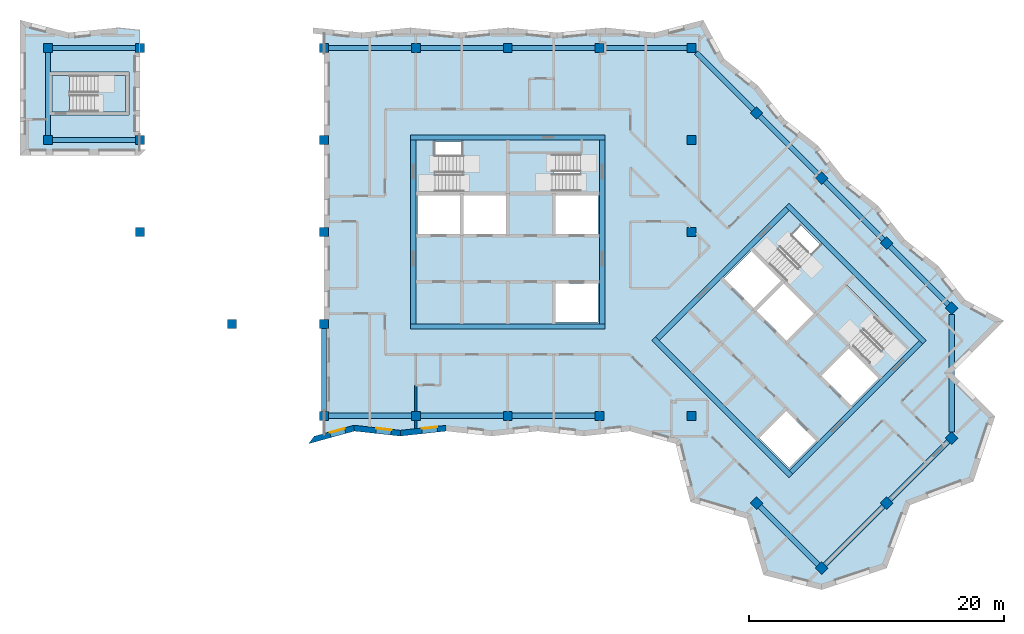
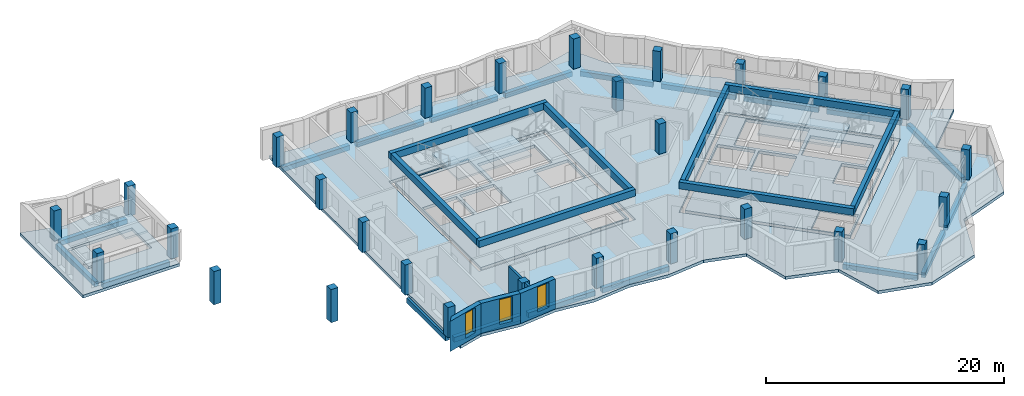
# One storey, part 1 of 12: 29 columns, 27 beams, 10 slabs, 5 walls, 3 windows, 18 openings, 5 elements without a shape of their own.
"""IFC4 building model written with IfcOpenShell, lengths in metres."""

from ifc_helpers import new_model, si_unit, direction, frame, frame_2d, origin, origin_2d, place, context, subcontext, project, spatial, polyline, rectangle, outline, extrude, material, layer, layer_set, material_profile, profile_set, type_object, element, fill, aggregate, save


model = new_model("IFC4")

# Units and contexts
model_context = context("Model", 3, precision=1e-05, world=origin(), true_north=direction((0.0, 1.0)))
body_context = subcontext(model_context, "Body", "Model", "MODEL_VIEW")
ifc_project = project(units=[si_unit("LENGTHUNIT", "METRE"), si_unit("AREAUNIT", "SQUARE_METRE"), si_unit("VOLUMEUNIT", "CUBIC_METRE"), si_unit("PLANEANGLEUNIT", "RADIAN"), si_unit("MASSUNIT", "GRAM", prefix="KILO")], contexts=[model_context])

# Site, building, storey
site_placement = place(None, origin())
site = spatial("IfcSite", under=ifc_project, at=site_placement, CompositionType="ELEMENT")
building_placement = place(site_placement, origin())
building = spatial("IfcBuilding", under=site, at=building_placement, Name="Windrow Commons", CompositionType="ELEMENT")
storey_placement = place(building_placement, frame((0.0, 0.0, 254.0)))
storey = spatial("IfcBuildingStorey", under=building, at=storey_placement, Name="L69", CompositionType="ELEMENT", Elevation=254.0)

# Columns
ifc_material_1 = material(Name="Concrete C40/50", Category="concrete")
ifc_material_profile_1 = material_profile(ifc_material_1, rectangle(XDim=0.7, YDim=0.7, at=origin_2d()))
ifc_profile_set_1 = profile_set([ifc_material_profile_1], Name="Concrete C40/50")
column_type = type_object("IfcColumnType", Name="RC COLUMN 700x700 C40/50", PredefinedType="COLUMN", material=ifc_profile_set_1)
for number, where, z_axis, x_axis, name in (
    (1, (28.8, 64.8, 0.0), (0.0, 0.0, 1.0), (1.0, 0.0, 0.0), "C-Z5-05I"),
    (2, (28.8, 72.0, 0.0), (0.0, 0.0, 1.0), (1.0, 0.0, 0.0), "C-Z5-05J"),
    (3, (36.0, 64.8, 0.0), (0.0, 0.0, 1.0), (1.0, 0.0, 0.0), "C-Z5-06I"),
    (4, (36.0, 72.0, 0.0), (0.0, 0.0, 1.0), (1.0, 0.0, 0.0), "C-Z5-06J"),
    (5, (50.4, 43.2, 0.0), (0.0, 0.0, 1.0), (1.0, 0.0, 0.0), "C-Z5-08F"),
    (6, (50.4, 50.4, 0.0), (0.0, 0.0, 1.0), (1.0, 0.0, 0.0), "C-Z5-08G"),
    (7, (50.4, 57.6, 0.0), (0.0, 0.0, 1.0), (1.0, 0.0, 0.0), "C-Z5-08H"),
    (8, (50.4, 64.8, 0.0), (0.0, 0.0, 1.0), (1.0, 0.0, 0.0), "C-Z5-08I"),
    (9, (50.4, 72.0, 0.0), (0.0, 0.0, 1.0), (1.0, 0.0, 0.0), "C-Z5-08J"),
    (10, (57.6, 43.2, 0.0), (0.0, 0.0, 1.0), (1.0, 0.0, 0.0), "C-Z5-09F"),
    (11, (57.6, 72.0, 0.0), (0.0, 0.0, 1.0), (1.0, 0.0, 0.0), "C-Z5-09J"),
    (12, (64.8, 43.2, 0.0), (0.0, 0.0, 1.0), (1.0, 0.0, 0.0), "C-Z5-10F"),
    (13, (64.8, 72.0, 0.0), (0.0, 0.0, 1.0), (1.0, 0.0, 0.0), "C-Z5-10J"),
    (14, (72.0, 43.2, 0.0), (0.0, 0.0, 1.0), (1.0, 0.0, 0.0), "C-Z5-11F"),
    (15, (72.0, 72.0, 0.0), (0.0, 0.0, 1.0), (1.0, 0.0, 0.0), "C-Z5-11J"),
    (16, (79.2, 43.2, 0.0), (0.0, 0.0, 1.0), (1.0, 0.0, 0.0), "C-Z5-12F"),
    (17, (79.2, 57.6, 0.0), (0.0, 0.0, 1.0), (1.0, 0.0, 0.0), "C-Z5-12H"),
    (18, (79.2, 64.8, 0.0), (0.0, 0.0, 1.0), (1.0, 0.0, 0.0), "C-Z5-12I"),
    (19, (79.2, 72.0, 0.0), (0.0, 0.0, 1.0), (1.0, 0.0, 0.0), "C-Z5-12J"),
    (20, (84.2912, 66.9088, 0.0), (0.0, 0.0, 1.0), (0.7071067812, -0.7071067812, 0.0), "C-Z5-P2Q"),
    (21, (89.3823, 61.8177, 0.0), (0.0, 0.0, 1.0), (0.7071067812, -0.7071067812, 0.0), "C-Z5-P3Q"),
    (22, (94.4735, 56.7265, 0.0), (0.0, 0.0, 1.0), (0.7071067812, -0.7071067812, 0.0), "C-Z5-P4Q"),
    (23, (99.5647, 51.6353, 0.0), (0.0, 0.0, 1.0), (0.7071067812, -0.7071067812, 0.0), "C-Z5-P5Q"),
    (24, (84.2912, 36.3618, 0.0), (0.0, 0.0, 1.0), (0.7071067812, -0.7071067812, 0.0), "C-Z5-P5T"),
    (25, (99.5647, 41.453, 0.0), (0.0, 0.0, 1.0), (0.7071067812, -0.7071067812, 0.0), "C-Z5-P6R"),
    (26, (94.4735, 36.3618, 0.0), (0.0, 0.0, 1.0), (0.7071067812, -0.7071067812, 0.0), "C-Z5-P6S"),
    (27, (89.3823, 31.2706, 0.0), (0.0, 0.0, 1.0), (0.7071067812, -0.7071067812, 0.0), "C-Z5-P6T"),
):
    element("IfcColumn", number, at=place(storey_placement, frame(where, z_axis=z_axis, x_axis=x_axis)), inside=storey, type_object=column_type, Name=name, PredefinedType="COLUMN", context=body_context, shape_type="SweptSolid", body=[
        extrude(rectangle(XDim=0.7, YDim=0.7, at=origin_2d()), origin(), (0.0, 0.0, 1.0), 3.1),
    ])
for number, where, z_axis, x_axis, name in (
    (28, (36.0, 57.6, -0.3), (0.0, 0.0, 1.0), (1.0, 0.0, 0.0), "C-Z5-06H"),
    (29, (43.2, 50.4, -0.3), (0.0, 0.0, 1.0), (1.0, 0.0, 0.0), "C-Z5-07G"),
):
    element("IfcColumn", number, at=place(storey_placement, frame(where, z_axis=z_axis, x_axis=x_axis)), inside=storey, type_object=column_type, Name=name, PredefinedType="COLUMN", context=body_context, shape_type="SweptSolid", body=[
        extrude(rectangle(XDim=0.7, YDim=0.7, at=origin_2d()), origin(), (0.0, 0.0, 1.0), 3.4),
    ])

# Beams
ifc_material_2 = material(Name="Concrete C40/50", Category="concrete")
ifc_material_profile_2 = material_profile(ifc_material_2, rectangle(XDim=0.4, YDim=0.7, at=origin_2d()))
ifc_profile_set_2 = profile_set([ifc_material_profile_2], Name="Concrete C40/50")
beam_type_1 = type_object("IfcBeamType", Name="RC COUPLING BEAM 400x700 C40/50", PredefinedType="LINTEL", material=ifc_profile_set_2)
for number, where, z_axis, x_axis, name in (
    (30, (57.2, 50.2, 2.75), (1.0, 0.0, 0.0), (0.0, 1.0, 0.0), "Core A coupling beam outer-S"),
    (31, (57.2, 65.0, 2.75), (1.0, 0.0, 0.0), (0.0, 1.0, 0.0), "Core A coupling beam outer-N"),
):
    element("IfcBeam", number, at=place(storey_placement, frame(where, z_axis=z_axis, x_axis=x_axis)), inside=storey, type_object=beam_type_1, Name=name, PredefinedType="LINTEL", context=body_context, shape_type="SweptSolid", body=[
        extrude(rectangle(XDim=0.4, YDim=0.7, at=origin_2d()), origin(), (0.0, 0.0, 1.0), 15.2),
    ])
for number, where, z_axis, x_axis, name in (
    (32, (57.4, 50.4, 2.75), (0.0, 1.0, 0.0), (-1.0, 0.0, 0.0), "Core A coupling beam outer-W"),
    (33, (72.2, 50.4, 2.75), (0.0, 1.0, 0.0), (-1.0, 0.0, 0.0), "Core A coupling beam outer-E"),
):
    element("IfcBeam", number, at=place(storey_placement, frame(where, z_axis=z_axis, x_axis=x_axis)), inside=storey, type_object=beam_type_1, Name=name, PredefinedType="LINTEL", context=body_context, shape_type="SweptSolid", body=[
        extrude(rectangle(XDim=0.4, YDim=0.7, at=origin_2d()), origin(), (0.0, 0.0, 1.0), 14.4),
    ])
for number, where, z_axis, x_axis, name in (
    (34, (76.2302, 49.2312, 2.75), (0.7071034917, -0.7071100706, 0.0), (0.7071100706, 0.7071034917, 0.0), "Core B coupling beam outer-S"),
    (35, (86.6953, 59.6963, 2.75), (0.7071100706, -0.7071034917, 0.0), (0.7071034917, 0.7071100706, 0.0), "Core B coupling beam outer-N"),
):
    element("IfcBeam", number, at=place(storey_placement, frame(where, z_axis=z_axis, x_axis=x_axis)), inside=storey, type_object=beam_type_1, Name=name, PredefinedType="LINTEL", context=body_context, shape_type="SweptSolid", body=[
        extrude(rectangle(XDim=0.4, YDim=0.7, at=origin_2d()), origin(), (0.0, 0.0, 1.0), 15.2),
    ])
for number, where, z_axis, x_axis, name in (
    (36, (76.513, 49.2312, 2.75), (0.7071067812, 0.7071067812, 0.0), (-0.7071067812, 0.7071067812, 0.0), "Core B coupling beam outer-W"),
    (37, (86.9782, 38.766, 2.75), (0.7071067812, 0.7071067812, 0.0), (-0.7071067812, 0.7071067812, 0.0), "Core B coupling beam outer-E"),
):
    element("IfcBeam", number, at=place(storey_placement, frame(where, z_axis=z_axis, x_axis=x_axis)), inside=storey, type_object=beam_type_1, Name=name, PredefinedType="LINTEL", context=body_context, shape_type="SweptSolid", body=[
        extrude(rectangle(XDim=0.4, YDim=0.7, at=origin_2d()), origin(), (0.0, 0.0, 1.0), 14.3999),
    ])
ifc_material_3 = material(Name="Concrete C40/50", Category="concrete")
ifc_material_profile_3 = material_profile(ifc_material_3, rectangle(XDim=0.4, YDim=0.5, at=origin_2d()))
ifc_profile_set_3 = profile_set([ifc_material_profile_3], Name="Concrete C40/50")
beam_type_2 = type_object("IfcBeamType", Name="RC EDGE BEAM 400x500 C40/50", PredefinedType="SPANDREL", material=ifc_profile_set_3)
for number, where, z_axis, x_axis, name in (
    (38, (57.25, 43.2, -0.55), (-1.0, 0.0, 0.0), (0.0, -1.0, 0.0), "Edge beam L69 001"),
    (39, (50.4, 43.55, -0.55), (0.0, 1.0, 0.0), (-1.0, 0.0, 0.0), "Edge beam L69 002"),
    (40, (35.65, 64.8, -0.55), (-1.0, 0.0, 0.0), (0.0, -1.0, 0.0), "Edge beam L69 003"),
    (41, (28.8, 65.15, -0.55), (0.0, 1.0, 0.0), (-1.0, 0.0, 0.0), "Edge beam L69 004"),
    (42, (29.15, 72.0, -0.55), (1.0, 0.0, 0.0), (0.0, 1.0, 0.0), "Edge beam L69 005"),
    (43, (50.75, 72.0, -0.55), (1.0, 0.0, 0.0), (0.0, 1.0, 0.0), "Edge beam L69 006"),
    (44, (57.95, 72.0, -0.55), (1.0, 0.0, 0.0), (0.0, 1.0, 0.0), "Edge beam L69 007"),
    (45, (65.15, 72.0, -0.55), (1.0, 0.0, 0.0), (0.0, 1.0, 0.0), "Edge beam L69 008"),
    (46, (72.35, 72.0, -0.55), (1.0, 0.0, 0.0), (0.0, 1.0, 0.0), "Edge beam L69 009"),
):
    element("IfcBeam", number, at=place(storey_placement, frame(where, z_axis=z_axis, x_axis=x_axis)), inside=storey, type_object=beam_type_2, Name=name, PredefinedType="SPANDREL", context=body_context, shape_type="SweptSolid", body=[
        extrude(rectangle(XDim=0.4, YDim=0.5, at=origin_2d()), origin(), (0.0, 0.0, 1.0), 6.5),
    ])
beam_1_placement = place(storey_placement, frame((79.55, 71.65, -0.55), z_axis=(0.7071067812, -0.7071067812, 0.0), x_axis=(0.7071067812, 0.7071067812, 0.0)))
element("IfcBeam", 47, at=beam_1_placement, inside=storey, type_object=beam_type_2, Name="Edge beam L69 010", PredefinedType="SPANDREL", context=body_context, shape_type="SweptSolid", body=[
    extrude(rectangle(XDim=0.4, YDim=0.5, at=origin_2d()), origin(), (0.0, 0.0, 1.0), 6.3551),
])
beam_2_placement = place(storey_placement, frame((84.5387, 66.6613, -0.55), z_axis=(0.7071067812, -0.7071067812, 0.0), x_axis=(0.7071067812, 0.7071067812, 0.0)))
element("IfcBeam", 48, at=beam_2_placement, inside=storey, type_object=beam_type_2, Name="Edge beam L69 011", PredefinedType="SPANDREL", context=body_context, shape_type="SweptSolid", body=[
    extrude(rectangle(XDim=0.4, YDim=0.5, at=origin_2d()), origin(), (0.0, 0.0, 1.0), 6.4999),
])
for number, where, z_axis, x_axis, name in (
    (49, (89.6298, 61.5702, -0.55), (0.7071067812, -0.7071067812, 0.0), (0.7071067812, 0.7071067812, 0.0), "Edge beam L69 012"),
    (50, (94.721, 56.479, -0.55), (0.7071067812, -0.7071067812, 0.0), (0.7071067812, 0.7071067812, 0.0), "Edge beam L69 013"),
):
    element("IfcBeam", number, at=place(storey_placement, frame(where, z_axis=z_axis, x_axis=x_axis)), inside=storey, type_object=beam_type_2, Name=name, PredefinedType="SPANDREL", context=body_context, shape_type="SweptSolid", body=[
        extrude(rectangle(XDim=0.4, YDim=0.5, at=origin_2d()), origin(), (0.0, 0.0, 1.0), 6.5),
    ])
beam_3_placement = place(storey_placement, frame((99.5647, 51.1403, -0.55), z_axis=(0.0, -1.0, 0.0), x_axis=(1.0, 0.0, 0.0)))
element("IfcBeam", 51, at=beam_3_placement, inside=storey, type_object=beam_type_2, Name="Edge beam L69 014", PredefinedType="SPANDREL", context=body_context, shape_type="SweptSolid", body=[
    extrude(rectangle(XDim=0.4, YDim=0.5, at=origin_2d()), origin(), (0.0, 0.0, 1.0), 9.1923),
])
for number, where, z_axis, x_axis, name in (
    (52, (99.3172, 41.2055, -0.55), (-0.7071067812, -0.7071067812, 0.0), (0.7071067812, -0.7071067812, 0.0), "Edge beam L69 015"),
    (53, (94.226, 36.1143, -0.55), (-0.7071067812, -0.7071067812, 0.0), (0.7071067812, -0.7071067812, 0.0), "Edge beam L69 016"),
):
    element("IfcBeam", number, at=place(storey_placement, frame(where, z_axis=z_axis, x_axis=x_axis)), inside=storey, type_object=beam_type_2, Name=name, PredefinedType="SPANDREL", context=body_context, shape_type="SweptSolid", body=[
        extrude(rectangle(XDim=0.4, YDim=0.5, at=origin_2d()), origin(), (0.0, 0.0, 1.0), 6.5),
    ])
beam_4_placement = place(storey_placement, frame((89.1348, 31.5181, -0.55), z_axis=(-0.7070990888, 0.7071144735, 0.0), x_axis=(-0.7071144735, -0.7070990888, 0.0)))
element("IfcBeam", 54, at=beam_4_placement, inside=storey, type_object=beam_type_2, Name="Edge beam L69 017", PredefinedType="SPANDREL", context=body_context, shape_type="SweptSolid", body=[
    extrude(rectangle(XDim=0.4, YDim=0.5, at=origin_2d()), origin(), (0.0, 0.0, 1.0), 6.4999),
])
for number, where, z_axis, x_axis, name in (
    (55, (71.65, 43.2, -0.55), (-1.0, 0.0, 0.0), (0.0, -1.0, 0.0), "Edge beam L69 018"),
    (56, (64.45, 43.2, -0.55), (-1.0, 0.0, 0.0), (0.0, -1.0, 0.0), "Edge beam L69 019"),
):
    element("IfcBeam", number, at=place(storey_placement, frame(where, z_axis=z_axis, x_axis=x_axis)), inside=storey, type_object=beam_type_2, Name=name, PredefinedType="SPANDREL", context=body_context, shape_type="SweptSolid", body=[
        extrude(rectangle(XDim=0.4, YDim=0.5, at=origin_2d()), origin(), (0.0, 0.0, 1.0), 6.5),
    ])

# Slab, openings
ifc_material_4 = material(Name="Concrete C40/50", Category="concrete")
ifc_layer_1 = layer(ifc_material_4, 0.3)
ifc_layer_set_1 = layer_set([ifc_layer_1], Name="CORE FLOOR SLAB 300 C40/50")
slab_type_1 = type_object("IfcSlabType", Name="CORE FLOOR SLAB 300 C40/50", PredefinedType="FLOOR", material=ifc_layer_set_1)
placement_1 = place(storey_placement, frame((0.0, 0.0, -0.3)))
slab_1 = element("IfcSlab", 57, at=placement_1, inside=storey, type_object=slab_type_1, Name="S-L69-core-A", PredefinedType="FLOOR", context=body_context, shape_type="SweptSolid", body=[
    extrude(outline(polyline([(57.6, 50.4), (72.0, 50.4), (72.0, 64.8), (57.6, 64.8), (57.6, 50.4)]), holes=[polyline([(68.55, 50.55), (71.85, 50.55), (71.85, 53.55), (68.55, 53.55), (68.55, 50.55)]), polyline([(57.75, 57.45), (61.05, 57.45), (61.05, 60.45), (57.75, 60.45), (57.75, 57.45)]), polyline([(61.35, 57.45), (64.65, 57.45), (64.65, 60.45), (61.35, 60.45), (61.35, 57.45)]), polyline([(68.55, 57.45), (71.85, 57.45), (71.85, 60.45), (68.55, 60.45), (68.55, 57.45)]), polyline([(59.1, 60.75), (64.65, 60.75), (64.65, 64.65), (59.1, 64.65), (59.1, 60.75)]), polyline([(64.95, 60.75), (70.5, 60.75), (70.5, 63.705), (64.95, 63.705), (64.95, 60.75)])]), origin(), (0.0, 0.0, 1.0), 0.3),
])
opening_1_placement = place(placement_1, origin())
element("IfcOpeningElement", 58, at=opening_1_placement, cuts=slab_1, Name="Slab opening S-L69-core-A 1", PredefinedType="OPENING", context=body_context, shape_type="SweptSolid", body=[
    extrude(outline(polyline([(68.555, 50.555), (68.555, 53.545), (71.845, 53.545), (71.845, 50.555), (68.555, 50.555)])), origin(), (0.0, 0.0, 1.0), 0.3),
])
opening_2_placement = place(placement_1, origin())
element("IfcOpeningElement", 59, at=opening_2_placement, cuts=slab_1, Name="Slab opening S-L69-core-A 2", PredefinedType="OPENING", context=body_context, shape_type="SweptSolid", body=[
    extrude(outline(polyline([(57.755, 57.455), (57.755, 60.445), (61.045, 60.445), (61.045, 57.455), (57.755, 57.455)])), origin(), (0.0, 0.0, 1.0), 0.3),
])
opening_3_placement = place(placement_1, origin())
element("IfcOpeningElement", 60, at=opening_3_placement, cuts=slab_1, Name="Slab opening S-L69-core-A 3", PredefinedType="OPENING", context=body_context, shape_type="SweptSolid", body=[
    extrude(outline(polyline([(61.355, 57.455), (61.355, 60.445), (64.645, 60.445), (64.645, 57.455), (61.355, 57.455)])), origin(), (0.0, 0.0, 1.0), 0.3),
])
opening_4_placement = place(placement_1, origin())
element("IfcOpeningElement", 61, at=opening_4_placement, cuts=slab_1, Name="Slab opening S-L69-core-A 4", PredefinedType="OPENING", context=body_context, shape_type="SweptSolid", body=[
    extrude(outline(polyline([(68.555, 57.455), (68.555, 60.445), (71.845, 60.445), (71.845, 57.455), (68.555, 57.455)])), origin(), (0.0, 0.0, 1.0), 0.3),
])
opening_5_placement = place(placement_1, origin())
element("IfcOpeningElement", 62, at=opening_5_placement, cuts=slab_1, Name="Slab opening S-L69-core-A 5", PredefinedType="OPENING", context=body_context, shape_type="SweptSolid", body=[
    extrude(outline(polyline([(59.105, 60.755), (59.105, 64.645), (64.645, 64.645), (64.645, 60.755), (59.105, 60.755)])), origin(), (0.0, 0.0, 1.0), 0.3),
])
opening_6_placement = place(placement_1, origin())
element("IfcOpeningElement", 63, at=opening_6_placement, cuts=slab_1, Name="Slab opening S-L69-core-A 6", PredefinedType="OPENING", context=body_context, shape_type="SweptSolid", body=[
    extrude(outline(polyline([(64.955, 60.755), (64.955, 63.7), (70.495, 63.7), (70.495, 60.755), (64.955, 60.755)])), origin(), (0.0, 0.0, 1.0), 0.3),
])

slab_2 = element("IfcSlab", 64, at=placement_1, inside=storey, type_object=slab_type_1, Name="S-L69-core-B", PredefinedType="FLOOR", context=body_context, shape_type="SweptSolid", body=[
    extrude(outline(polyline([(76.6544, 49.0897), (86.8368, 38.9074), (97.0191, 49.0897), (86.8368, 59.2721), (76.6544, 49.0897)]), holes=[polyline([(84.5033, 41.453), (86.8368, 39.1195), (88.9581, 41.2409), (86.6246, 43.5743), (84.5033, 41.453)]), polyline([(81.7456, 53.9688), (84.079, 51.6353), (86.2004, 53.7566), (83.8669, 56.0901), (81.7456, 53.9688)]), polyline([(84.2912, 51.4232), (86.6246, 49.0897), (88.7459, 51.2111), (86.4125, 53.5445), (84.2912, 51.4232)]), polyline([(89.3823, 46.332), (91.7158, 43.9986), (93.8371, 46.1199), (91.5037, 48.4533), (89.3823, 46.332)]), polyline([(85.0336, 55.3476), (88.9581, 51.4232), (91.7158, 54.1809), (87.7913, 58.1054), (85.0336, 55.3476)]), polyline([(89.1702, 51.2111), (93.0946, 47.2866), (95.1841, 49.3761), (91.2597, 53.3006), (89.1702, 51.2111)])]), origin(), (0.0, 0.0, 1.0), 0.3),
])
opening_7_placement = place(placement_1, origin())
element("IfcOpeningElement", 65, at=opening_7_placement, cuts=slab_2, Name="Slab opening S-L69-core-B 1", PredefinedType="OPENING", context=body_context, shape_type="SweptSolid", body=[
    extrude(outline(polyline([(84.5104, 41.453), (86.6246, 43.5672), (88.951, 41.2409), (86.8368, 39.1266), (84.5104, 41.453)])), origin(), (0.0, 0.0, 1.0), 0.3),
])
opening_8_placement = place(placement_1, origin())
element("IfcOpeningElement", 66, at=opening_8_placement, cuts=slab_2, Name="Slab opening S-L69-core-B 2", PredefinedType="OPENING", context=body_context, shape_type="SweptSolid", body=[
    extrude(outline(polyline([(81.7527, 53.9688), (83.8669, 56.083), (86.1933, 53.7566), (84.079, 51.6424), (81.7527, 53.9688)])), origin(), (0.0, 0.0, 1.0), 0.3),
])
opening_9_placement = place(placement_1, origin())
element("IfcOpeningElement", 67, at=opening_9_placement, cuts=slab_2, Name="Slab opening S-L69-core-B 3", PredefinedType="OPENING", context=body_context, shape_type="SweptSolid", body=[
    extrude(outline(polyline([(84.2983, 51.4232), (86.4125, 53.5374), (88.7388, 51.2111), (86.6246, 49.0968), (84.2983, 51.4232)])), origin(), (0.0, 0.0, 1.0), 0.3),
])
opening_10_placement = place(placement_1, origin())
element("IfcOpeningElement", 68, at=opening_10_placement, cuts=slab_2, Name="Slab opening S-L69-core-B 4", PredefinedType="OPENING", context=body_context, shape_type="SweptSolid", body=[
    extrude(outline(polyline([(89.3894, 46.332), (91.5037, 48.4462), (93.83, 46.1199), (91.7158, 44.0057), (89.3894, 46.332)])), origin(), (0.0, 0.0, 1.0), 0.3),
])
opening_11_placement = place(placement_1, origin())
element("IfcOpeningElement", 69, at=opening_11_placement, cuts=slab_2, Name="Slab opening S-L69-core-B 5", PredefinedType="OPENING", context=body_context, shape_type="SweptSolid", body=[
    extrude(outline(polyline([(85.0407, 55.3476), (87.7913, 58.0983), (91.7087, 54.1809), (88.9581, 51.4303), (85.0407, 55.3476)])), origin(), (0.0, 0.0, 1.0), 0.3),
])
opening_12_placement = place(placement_1, origin())
element("IfcOpeningElement", 70, at=opening_12_placement, cuts=slab_2, Name="Slab opening S-L69-core-B 6", PredefinedType="OPENING", context=body_context, shape_type="SweptSolid", body=[
    extrude(outline(polyline([(89.1773, 51.2111), (91.2597, 53.2935), (95.177, 49.3761), (93.0946, 47.2937), (89.1773, 51.2111)])), origin(), (0.0, 0.0, 1.0), 0.3),
])

# Slab
element("IfcSlab", 71, at=placement_1, inside=storey, type_object=slab_type_1, Name="S-L69-stub-stair", PredefinedType="FLOOR", context=body_context, shape_type="SweptSolid", body=[
    extrude(outline(polyline([(29.125, 67.0), (30.475, 67.0), (30.475, 69.85), (29.125, 69.85), (29.125, 67.0)])), origin(), (0.0, 0.0, 1.0), 0.3),
])

# Stair, slab
ifc_material_5 = material(Name="Concrete C40/50", Category="concrete")
stair_type = type_object("IfcStairType", Name="Core stair", PredefinedType="HALF_TURN_STAIR", material=ifc_material_5)
placement_2 = place(storey_placement, origin())
stair_1 = element("IfcStair", 72, at=placement_2, inside=storey, type_object=stair_type, Name="L69 Exit stair A1 core A", PredefinedType="HALF_TURN_STAIR")
ifc_material_6 = material(Name="Concrete C40/50", Category="concrete")
ifc_layer_2 = layer(ifc_material_6, 0.2)
ifc_layer_set_2 = layer_set([ifc_layer_2], Name="Core stair landing")
slab_type_2 = type_object("IfcSlabType", Name="Core stair landing", PredefinedType="LANDING", material=ifc_layer_set_2)
placement_3 = place(storey_placement, frame((0.0, 0.0, 1.5)))
slab_4 = element("IfcSlab", 73, at=placement_3, type_object=slab_type_2, Name="ST-A1 landing 1", PredefinedType="LANDING", context=body_context, shape_type="SweptSolid", body=[
    extrude(outline(polyline([(61.22, 60.5), (64.8, 60.5), (64.8, 64.9), (61.22, 64.9), (61.22, 60.5)])), origin(), (0.0, 0.0, 1.0), 0.2),
])
aggregate(stair_1, [slab_4])

stair_2 = element("IfcStair", 74, at=placement_2, inside=storey, type_object=stair_type, Name="L69 Exit stair A2 core A", PredefinedType="HALF_TURN_STAIR")
slab_5 = element("IfcSlab", 75, at=placement_3, type_object=slab_type_2, Name="ST-A2 landing 1", PredefinedType="LANDING", context=body_context, shape_type="SweptSolid", body=[
    extrude(outline(polyline([(64.8, 60.5), (68.38, 60.5), (68.38, 63.855), (64.8, 63.855), (64.8, 60.5)])), origin(), (0.0, 0.0, 1.0), 0.2),
])
aggregate(stair_2, [slab_5])

stair_3 = element("IfcStair", 76, at=placement_2, inside=storey, type_object=stair_type, Name="L69 Exit stair B1 core B", PredefinedType="HALF_TURN_STAIR")
slab_6 = element("IfcSlab", 77, at=placement_3, type_object=slab_type_2, Name="ST-B1 landing 1", PredefinedType="LANDING", context=body_context, shape_type="SweptSolid", body=[
    extrude(outline(polyline([(86.3559, 53.6718), (88.8874, 51.1403), (91.9986, 54.2516), (89.4672, 56.7831), (86.3559, 53.6718)])), origin(), (0.0, 0.0, 1.0), 0.2),
])
aggregate(stair_3, [slab_6])

stair_4 = element("IfcStair", 78, at=placement_2, inside=storey, type_object=stair_type, Name="L69 Exit stair B2 core B", PredefinedType="HALF_TURN_STAIR")
slab_7 = element("IfcSlab", 79, at=placement_3, type_object=slab_type_2, Name="ST-B2 landing 1", PredefinedType="LANDING", context=body_context, shape_type="SweptSolid", body=[
    extrude(outline(polyline([(88.8874, 51.1403), (91.4188, 48.6089), (93.7911, 50.9812), (91.2597, 53.5127), (88.8874, 51.1403)])), origin(), (0.0, 0.0, 1.0), 0.2),
])
aggregate(stair_4, [slab_7])

stair_5 = element("IfcStair", 80, at=placement_2, inside=storey, type_object=stair_type, Name="L69 Exit stair W", PredefinedType="HALF_TURN_STAIR")
slab_8 = element("IfcSlab", 81, at=placement_3, type_object=slab_type_2, Name="ST-W landing 1", PredefinedType="LANDING", context=body_context, shape_type="SweptSolid", body=[
    extrude(outline(polyline([(32.715, 67.0), (34.875, 67.0), (34.875, 69.85), (32.715, 69.85), (32.715, 67.0)])), origin(), (0.0, 0.0, 1.0), 0.2),
])
aggregate(stair_5, [slab_8])

# Slab, opening
ifc_material_7 = material(Name="Concrete C40/50", Category="concrete")
ifc_layer_3 = layer(ifc_material_7, 0.3)
ifc_layer_set_3 = layer_set([ifc_layer_3], Name="FLOOR SLAB 300 C40/50")
slab_type_3 = type_object("IfcSlabType", Name="FLOOR SLAB 300 C40/50", PredefinedType="FLOOR", material=ifc_layer_set_3)
slab_9 = element("IfcSlab", 82, at=placement_1, inside=storey, type_object=slab_type_3, Name="S-L69-floor-1", PredefinedType="FLOOR", context=body_context, shape_type="SweptSolid", body=[
    extrude(outline(polyline([(26.609, 63.6), (36.0, 63.6), (36.0, 73.4121), (37.7161, 73.2365), (34.2517, 73.591), (30.4303, 73.2), (26.609, 74.191), (26.609, 63.6)]), holes=[polyline([(28.875, 66.75), (28.875, 70.1), (35.125, 70.1), (35.125, 66.75), (28.875, 66.75)])]), origin(), (0.0, 0.0, 1.0), 0.3),
])
opening_13_placement = place(placement_1, origin())
element("IfcOpeningElement", 83, at=opening_13_placement, cuts=slab_9, Name="Slab opening S-L69-floor-1 1", PredefinedType="OPENING", context=body_context, shape_type="SweptSolid", body=[
    extrude(outline(polyline([(28.88, 66.755), (28.88, 70.095), (35.12, 70.095), (35.12, 66.755), (28.88, 66.755)])), origin(), (0.0, 0.0, 1.0), 0.3),
])

# Slab, openings
slab_10 = element("IfcSlab", 84, at=placement_1, inside=storey, type_object=slab_type_3, Name="S-L69-floor-2", PredefinedType="FLOOR", context=body_context, shape_type="SweptSolid", body=[
    extrude(outline(polyline([(84.8264, 30.7354), (89.3823, 29.5736), (94.4735, 31.2706), (96.312, 36.2204), (101.2617, 38.0588), (102.9588, 43.15), (99.5647, 46.5442), (103.6595, 50.639), (100.6036, 52.2935), (98.5249, 54.9252), (95.8932, 57.0039), (93.8145, 59.6356), (91.1828, 61.7143), (89.1041, 64.346), (86.4724, 66.4247), (84.3937, 69.0563), (81.762, 71.1351), (80.1076, 74.191), (76.2863, 73.2), (72.4649, 73.591), (68.6436, 73.2), (64.8223, 73.591), (61.0009, 73.2), (57.1796, 73.591), (53.3583, 73.2), (50.4, 73.5027), (50.4, 41.3399), (52.7934, 42.0), (56.3867, 41.609), (59.9801, 42.0), (63.5735, 41.609), (67.1668, 42.0), (70.7602, 41.609), (74.3535, 42.0), (77.9469, 41.009), (79.1087, 36.4531), (83.5232, 35.1499), (84.8264, 30.7354)]), holes=[polyline([(86.8368, 59.8378), (97.5848, 49.0897), (86.8368, 38.3417), (76.0887, 49.0897), (86.8368, 59.8378)]), polyline([(57.2, 65.2), (72.4, 65.2), (72.4, 50.0), (57.2, 50.0), (57.2, 65.2)])]), origin(), (0.0, 0.0, 1.0), 0.3),
])
opening_14_placement = place(placement_1, origin())
element("IfcOpeningElement", 85, at=opening_14_placement, cuts=slab_10, Name="Slab opening S-L69-floor-2 1", PredefinedType="OPENING", context=body_context, shape_type="SweptSolid", body=[
    extrude(outline(polyline([(86.8368, 59.8307), (97.5777, 49.0897), (86.8368, 38.3488), (76.0958, 49.0897), (86.8368, 59.8307)])), origin(), (0.0, 0.0, 1.0), 0.3),
])
opening_15_placement = place(placement_1, origin())
element("IfcOpeningElement", 86, at=opening_15_placement, cuts=slab_10, Name="Slab opening S-L69-floor-2 2", PredefinedType="OPENING", context=body_context, shape_type="SweptSolid", body=[
    extrude(outline(polyline([(57.205, 65.195), (72.395, 65.195), (72.395, 50.005), (57.205, 50.005), (57.205, 65.195)])), origin(), (0.0, 0.0, 1.0), 0.3),
])

# Wall, opening, window
ifc_material_8 = material(Name="Brick masonry, red clay brick", Category="masonry")
ifc_layer_4 = layer(ifc_material_8, 0.45)
ifc_layer_set_4 = layer_set([ifc_layer_4], Name="Brick facade wall 450")
wall_type_1 = type_object("IfcWallType", Name="Brick facade wall 450", PredefinedType="SOLIDWALL", material=ifc_layer_set_4)
wall_1_placement = place(storey_placement, frame((49.425, 41.3045, 0.0), z_axis=(0.0, 0.0, 1.0), x_axis=(0.9640175431, 0.2658386288, 0.0)))
wall_1 = element("IfcWall", 87, at=wall_1_placement, inside=storey, type_object=wall_type_1, Name="Brick facade wall L69 38", PredefinedType="SOLIDWALL", context=body_context, shape_type="SweptSolid", body=[
    extrude(outline(polyline([(-0.2955, -0.225), (3.4321, -0.225), (3.518, 0.225), (0.2955, 0.225), (-0.2955, -0.225)])), origin(), (0.0, 0.0, 1.0), 3.1),
])
opening_16_placement = place(wall_1_placement, frame((1.5432, 0.0, 0.45)))
opening_16 = element("IfcOpeningElement", 88, at=opening_16_placement, cuts=wall_1, Name="Opening W7F", PredefinedType="OPENING", context=body_context, shape_type="SweptSolid", body=[
    extrude(rectangle(XDim=1.2, YDim=2.55, at=frame_2d((0.6, 1.275))), frame((0.0, 0.235, 0.0), z_axis=(0.0, -1.0, 0.0), x_axis=(1.0, 0.0, 0.0)), (0.0, 0.0, 1.0), 0.47),
])
ifc_material_9 = material(Name="Clear float glass in anodised aluminium frame", Category="aluminium")
window_type = type_object("IfcWindowType", Name="Window W7 notch 1200x2550", PartitioningType="SINGLE_PANEL", PredefinedType="WINDOW", material=ifc_material_9)
window_1_placement = place(opening_16_placement, origin())
window_1 = element("IfcWindow", 89, at=window_1_placement, inside=storey, type_object=window_type, Name="Window L69 38.1", OverallHeight=2.55, OverallWidth=1.2, PartitioningType="SINGLE_PANEL", PredefinedType="WINDOW", context=body_context, shape_type="SweptSolid", body=[
    extrude(rectangle(XDim=1.2, YDim=2.55, at=frame_2d((0.6, 1.275))), frame((0.0, 0.205, 0.0), z_axis=(0.0, -1.0, 0.0), x_axis=(1.0, 0.0, 0.0)), (0.0, 0.0, 1.0), 0.06),
])
fill(opening_16, window_1)

wall_2_placement = place(storey_placement, frame((52.775, 42.2283, 0.0), z_axis=(0.0, 0.0, 1.0), x_axis=(0.9941319215, -0.108174501, 0.0)))
wall_2 = element("IfcWall", 90, at=wall_2_placement, inside=storey, type_object=wall_type_1, Name="Brick facade wall L69 39", PredefinedType="SOLIDWALL", context=body_context, shape_type="SweptSolid", body=[
    extrude(outline(polyline([(0.043, -0.225), (3.6576, -0.225), (3.6086, 0.225), (-0.043, 0.225), (0.043, -0.225)])), origin(), (0.0, 0.0, 1.0), 3.1),
])
opening_17_placement = place(wall_2_placement, frame((1.7204, 0.0, 0.45)))
opening_17 = element("IfcOpeningElement", 91, at=opening_17_placement, cuts=wall_2, Name="Opening W7F", PredefinedType="OPENING", context=body_context, shape_type="SweptSolid", body=[
    extrude(rectangle(XDim=1.2, YDim=2.55, at=frame_2d((0.6, 1.275))), frame((0.0, 0.235, 0.0), z_axis=(0.0, -1.0, 0.0), x_axis=(1.0, 0.0, 0.0)), (0.0, 0.0, 1.0), 0.47),
])
window_2_placement = place(opening_17_placement, origin())
window_2 = element("IfcWindow", 92, at=window_2_placement, inside=storey, type_object=window_type, Name="Window L69 39.1", OverallHeight=2.55, OverallWidth=1.2, PartitioningType="SINGLE_PANEL", PredefinedType="WINDOW", context=body_context, shape_type="SweptSolid", body=[
    extrude(rectangle(XDim=1.2, YDim=2.55, at=frame_2d((0.6, 1.275))), frame((0.0, 0.205, 0.0), z_axis=(0.0, -1.0, 0.0), x_axis=(1.0, 0.0, 0.0)), (0.0, 0.0, 1.0), 0.06),
])
fill(opening_17, window_2)

wall_3_placement = place(storey_placement, frame((56.3867, 41.8353, 0.0), z_axis=(0.0, 0.0, 1.0), x_axis=(0.994132181, 0.1081721163, 0.0)))
wall_3 = element("IfcWall", 93, at=wall_3_placement, inside=storey, type_object=wall_type_1, Name="Brick facade wall L69 40", PredefinedType="SOLIDWALL", context=body_context, shape_type="SweptSolid", body=[
    extrude(outline(polyline([(-0.0245, -0.225), (3.5901, -0.225), (3.6391, 0.225), (0.0245, 0.225), (-0.0245, -0.225)])), origin(), (0.0, 0.0, 1.0), 3.1),
])
opening_18_placement = place(wall_3_placement, frame((1.7175, 0.0, 0.45)))
opening_18 = element("IfcOpeningElement", 94, at=opening_18_placement, cuts=wall_3, Name="Opening W7F", PredefinedType="OPENING", context=body_context, shape_type="SweptSolid", body=[
    extrude(rectangle(XDim=1.2, YDim=2.55, at=frame_2d((0.6, 1.275))), frame((0.0, 0.235, 0.0), z_axis=(0.0, -1.0, 0.0), x_axis=(1.0, 0.0, 0.0)), (0.0, 0.0, 1.0), 0.47),
])
window_3_placement = place(opening_18_placement, origin())
window_3 = element("IfcWindow", 95, at=window_3_placement, inside=storey, type_object=window_type, Name="Window L69 40.1", OverallHeight=2.55, OverallWidth=1.2, PartitioningType="SINGLE_PANEL", PredefinedType="WINDOW", context=body_context, shape_type="SweptSolid", body=[
    extrude(rectangle(XDim=1.2, YDim=2.55, at=frame_2d((0.6, 1.275))), frame((0.0, 0.205, 0.0), z_axis=(0.0, -1.0, 0.0), x_axis=(1.0, 0.0, 0.0)), (0.0, 0.0, 1.0), 0.06),
])
fill(opening_18, window_3)

# Walls
ifc_material_10 = material(Name="Blockwork partition", Category="masonry")
ifc_layer_5 = layer(ifc_material_10, 0.2)
ifc_layer_set_5 = layer_set([ifc_layer_5], Name="IW-PARTY-200")
wall_type_2 = type_object("IfcWallType", Name="IW-PARTY-200", PredefinedType="PARTITIONING", material=ifc_layer_set_5)
wall_4_placement = place(storey_placement, frame((57.6, 43.55, 0.0), z_axis=(0.0, 0.0, 1.0), x_axis=(0.0, 1.0, 0.0)))
element("IfcWall", 96, at=wall_4_placement, inside=storey, type_object=wall_type_2, Name="W-L69-W063", PredefinedType="PARTITIONING", context=body_context, shape_type="SweptSolid", body=[
    extrude(rectangle(XDim=2.05, YDim=0.2, at=frame_2d((1.025, 0.0))), origin(), (0.0, 0.0, 1.0), 3.1),
])
wall_5_placement = place(storey_placement, frame((57.6, 42.1937, 0.0), z_axis=(0.0, 0.0, 1.0), x_axis=(0.0, 1.0, 0.0)))
element("IfcWall", 97, at=wall_5_placement, inside=storey, type_object=wall_type_2, Name="W-L69-W086", PredefinedType="PARTITIONING", context=body_context, shape_type="SweptSolid", body=[
    extrude(rectangle(XDim=0.6563, YDim=0.2, at=frame_2d((0.3281, 0.0))), origin(), (0.0, 0.0, 1.0), 3.1),
])

save(model, "model.ifc")
